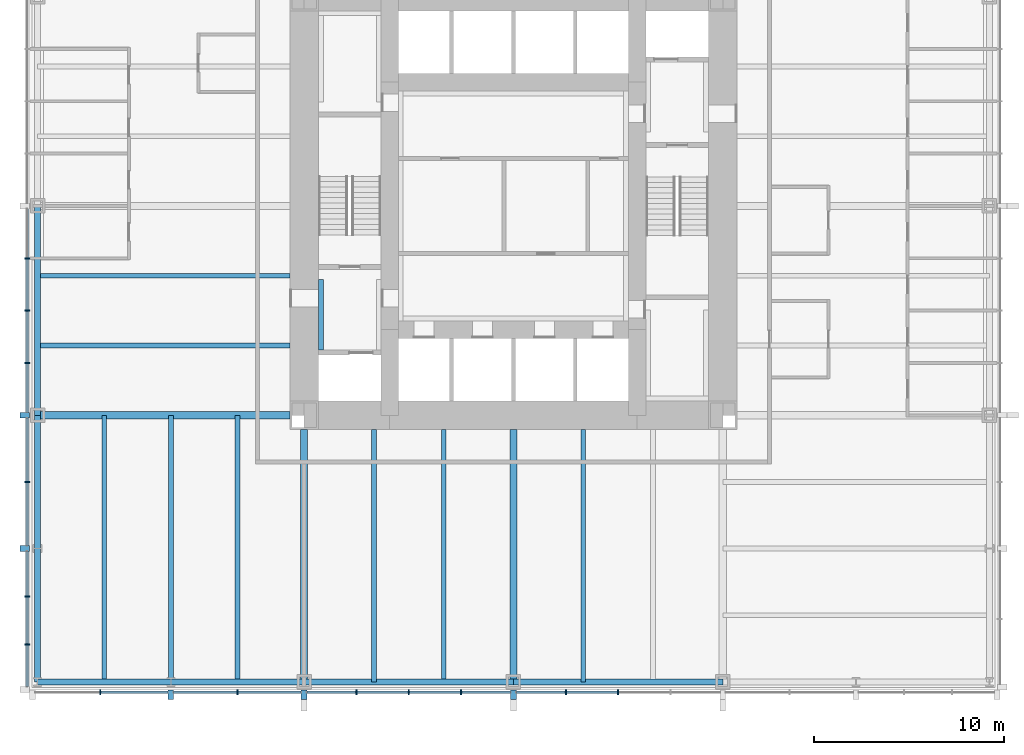
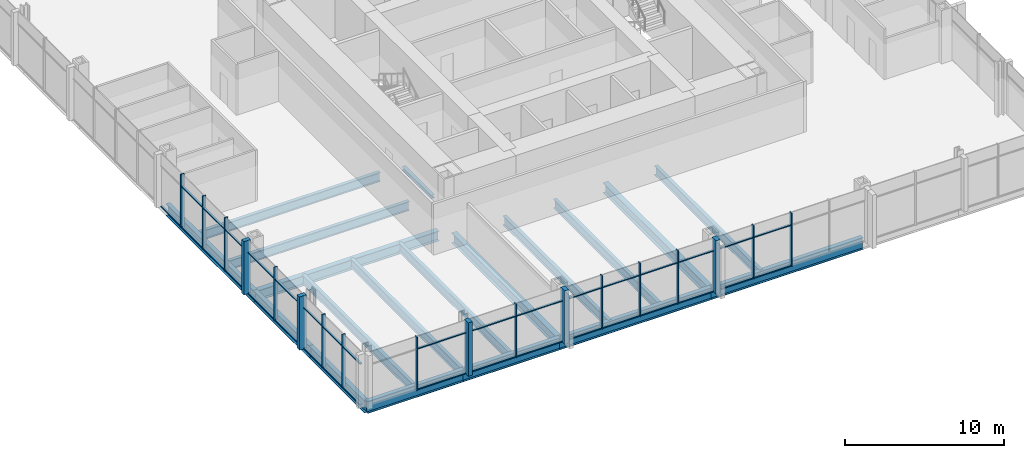
# One storey, part 2 of 12: 53 members, 19 beams, 2 elements without a shape of their own.
"""IFC4 building model written with IfcOpenShell, lengths in metres."""

from ifc_helpers import new_model, si_unit, direction, frame, origin, origin_2d, place, context, subcontext, project, spatial, rectangle, i_section, extrude, material, material_profile, profile_set, type_object, element, aggregate, save


model = new_model("IFC4")

# Units and contexts
model_context = context("Model", 3, precision=1e-05, world=origin(), true_north=direction((0.0, 1.0)))
body_context = subcontext(model_context, "Body", "Model", "MODEL_VIEW")
ifc_project = project(units=[si_unit("LENGTHUNIT", "METRE"), si_unit("AREAUNIT", "SQUARE_METRE"), si_unit("VOLUMEUNIT", "CUBIC_METRE"), si_unit("PLANEANGLEUNIT", "RADIAN"), si_unit("MASSUNIT", "GRAM", prefix="KILO")], contexts=[model_context])

# Site, building, storey
site_placement = place(None, origin())
site = spatial("IfcSite", under=ifc_project, at=site_placement, CompositionType="ELEMENT")
building_placement = place(site_placement, origin())
building = spatial("IfcBuilding", under=site, at=building_placement, Name="Trevanion Tower", CompositionType="ELEMENT")
storey_placement = place(building_placement, frame((0.0, 0.0, 52.89990234375)))
storey = spatial("IfcBuildingStorey", under=building, at=storey_placement, Name="L12", CompositionType="ELEMENT", Elevation=52.89990234375)

# Beams
ifc_material_1 = material(Name="Steel ASTM A992 Grade 50", Category="steel")
ifc_material_profile_1 = material_profile(ifc_material_1, i_section(OverallWidth=0.25390625, OverallDepth=0.700927734375, WebThickness=0.015380859375, FlangeThickness=0.02783203125, at=origin_2d()), Name="W27X129")
ifc_profile_set_1 = profile_set([ifc_material_profile_1], Name="Steel ASTM A992 Grade 50")
beam_type_1 = type_object("IfcBeamType", Name="B3 W27X129", PredefinedType="BEAM", material=ifc_profile_set_1)
for number, where, z_axis, x_axis, name in (
    (1, (-11.75, -3.666748046875, -0.540283203125), (-1.0, 0.0, 0.0), (0.0, -1.0, 0.0), "B3 L12"),
    (2, (-11.75, -7.333251953125, -0.540283203125), (-1.0, 0.0, 0.0), (0.0, -1.0, 0.0), "B3 L12"),
    (3, (-7.333251953125, -11.75, -0.540283203125), (0.0, -1.0, 0.0), (1.0, 0.0, 0.0), "B3 L12"),
    (4, (-3.666748046875, -11.75, -0.540283203125), (0.0, -1.0, 0.0), (1.0, 0.0, 0.0), "B3 L12"),
    (5, (3.666748046875, -11.75, -0.540283203125), (0.0, -1.0, 0.0), (1.0, 0.0, 0.0), "B3 L12"),
):
    element("IfcBeam", number, at=place(storey_placement, frame(where, z_axis=z_axis, x_axis=x_axis)), inside=storey, type_object=beam_type_1, Name=name, PredefinedType="BEAM", context=body_context, shape_type="SweptSolid", body=[
        extrude(i_section(OverallWidth=0.25390625, OverallDepth=0.700927734375, WebThickness=0.015380859375, FlangeThickness=0.02783203125, at=origin_2d()), origin(), (0.0, 0.0, 1.0), 13.25),
    ])
ifc_material_2 = material(Name="Steel ASTM A992 Grade 50", Category="steel")
ifc_material_profile_2 = material_profile(ifc_material_2, i_section(OverallWidth=0.256591796875, OverallDepth=0.693359375, WebThickness=0.014404296875, FlangeThickness=0.023681640625, at=origin_2d()), Name="W27X114")
ifc_profile_set_2 = profile_set([ifc_material_profile_2], Name="Steel ASTM A992 Grade 50")
beam_type_2 = type_object("IfcBeamType", Name="B4 W27X114", PredefinedType="BEAM", material=ifc_profile_set_2)
for number, where, z_axis, x_axis, name in (
    (6, (-14.5, -11.0, -0.53662109375), (0.0, -1.0, 0.0), (1.0, 0.0, 0.0), "B4 L12"),
    (7, (-18.0, -11.0, -0.53662109375), (0.0, -1.0, 0.0), (1.0, 0.0, 0.0), "B4 L12"),
    (8, (-21.5, -11.0, -0.53662109375), (0.0, -1.0, 0.0), (1.0, 0.0, 0.0), "B4 L12"),
):
    element("IfcBeam", number, at=place(storey_placement, frame(where, z_axis=z_axis, x_axis=x_axis)), inside=storey, type_object=beam_type_2, Name=name, PredefinedType="BEAM", context=body_context, shape_type="SweptSolid", body=[
        extrude(i_section(OverallWidth=0.256591796875, OverallDepth=0.693359375, WebThickness=0.014404296875, FlangeThickness=0.023681640625, at=origin_2d()), origin(), (0.0, 0.0, 1.0), 14.0),
    ])

# Curtain wall, members
ifc_material_3 = material(Name="Aluminium and glass", Category="aluminium")
curtain_wall_type = type_object("IfcCurtainWallType", Name="CW1 curtain wall", PredefinedType="USERDEFINED", material=ifc_material_3)
curtain_wall_1_placement = place(storey_placement, origin())
curtain_wall_1 = element("IfcCurtainWall", 9, at=curtain_wall_1_placement, inside=storey, type_object=curtain_wall_type, Name="CW1 L12 2", ObjectType="UNITISED CURTAIN WALL", PredefinedType="USERDEFINED")
ifc_material_4 = material(Name="Aluminium extrusion, anodised bronze", Category="aluminium")
ifc_material_profile_3 = material_profile(ifc_material_4, rectangle(XDim=0.074951171875, YDim=0.25, at=origin_2d()), Name="CW1 mullion")
ifc_profile_set_3 = profile_set([ifc_material_profile_3], Name="Aluminium extrusion, anodised bronze")
member_type_1 = type_object("IfcMemberType", Name="CW1 mullion", PredefinedType="MULLION", material=ifc_profile_set_3)
member_1_placement = place(storey_placement, frame((-25.550048828125, -2.75, -0.18994140625), z_axis=(0.0, 0.0, 1.0), x_axis=(0.0, -1.0, 0.0)))
member_1 = element("IfcMember", 10, at=member_1_placement, type_object=member_type_1, Name="CW1 mullion 10", PredefinedType="MULLION", context=body_context, shape_type="SweptSolid", body=[
    extrude(rectangle(XDim=0.074951171875, YDim=0.25, at=origin_2d()), origin(), (0.0, 0.0, 1.0), 4.10009765625),
])
member_2_placement = place(storey_placement, frame((-25.550048828125, -5.5, -0.18994140625), z_axis=(0.0, 0.0, 1.0), x_axis=(0.0, -1.0, 0.0)))
member_2 = element("IfcMember", 11, at=member_2_placement, type_object=member_type_1, Name="CW1 mullion 11", PredefinedType="MULLION", context=body_context, shape_type="SweptSolid", body=[
    extrude(rectangle(XDim=0.074951171875, YDim=0.25, at=origin_2d()), origin(), (0.0, 0.0, 1.0), 4.10009765625),
])
member_3_placement = place(storey_placement, frame((-25.550048828125, -8.25, -0.18994140625), z_axis=(0.0, 0.0, 1.0), x_axis=(0.0, -1.0, 0.0)))
member_3 = element("IfcMember", 12, at=member_3_placement, type_object=member_type_1, Name="CW1 mullion 12", PredefinedType="MULLION", context=body_context, shape_type="SweptSolid", body=[
    extrude(rectangle(XDim=0.074951171875, YDim=0.25, at=origin_2d()), origin(), (0.0, 0.0, 1.0), 4.10009765625),
])
member_4_placement = place(storey_placement, frame((-25.550048828125, -14.5, -0.18994140625), z_axis=(0.0, 0.0, 1.0), x_axis=(0.0, -1.0, 0.0)))
member_4 = element("IfcMember", 13, at=member_4_placement, type_object=member_type_1, Name="CW1 mullion 14", PredefinedType="MULLION", context=body_context, shape_type="SweptSolid", body=[
    extrude(rectangle(XDim=0.074951171875, YDim=0.25, at=origin_2d()), origin(), (0.0, 0.0, 1.0), 4.10009765625),
])
member_5_placement = place(storey_placement, frame((-25.550048828125, -20.5166015625, -0.18994140625), z_axis=(0.0, 0.0, 1.0), x_axis=(0.0, -1.0, 0.0)))
member_5 = element("IfcMember", 14, at=member_5_placement, type_object=member_type_1, Name="CW1 mullion 16", PredefinedType="MULLION", context=body_context, shape_type="SweptSolid", body=[
    extrude(rectangle(XDim=0.074951171875, YDim=0.25, at=origin_2d()), origin(), (0.0, 0.0, 1.0), 4.10009765625),
])
member_6_placement = place(storey_placement, frame((-25.550048828125, -23.033203125, -0.18994140625), z_axis=(0.0, 0.0, 1.0), x_axis=(0.0, -1.0, 0.0)))
member_6 = element("IfcMember", 15, at=member_6_placement, type_object=member_type_1, Name="CW1 mullion 17", PredefinedType="MULLION", context=body_context, shape_type="SweptSolid", body=[
    extrude(rectangle(XDim=0.074951171875, YDim=0.25, at=origin_2d()), origin(), (0.0, 0.0, 1.0), 4.10009765625),
])

curtain_wall_2_placement = place(storey_placement, origin())
curtain_wall_2 = element("IfcCurtainWall", 16, at=curtain_wall_2_placement, inside=storey, type_object=curtain_wall_type, Name="CW1 L12 3", ObjectType="UNITISED CURTAIN WALL", PredefinedType="USERDEFINED")
member_7_placement = place(storey_placement, frame((-21.7099609375, -25.550048828125, -0.18994140625), z_axis=(0.0, 0.0, 1.0), x_axis=(1.0, 0.0, 0.0)))
member_7 = element("IfcMember", 17, at=member_7_placement, type_object=member_type_1, Name="CW1 mullion 2", PredefinedType="MULLION", context=body_context, shape_type="SweptSolid", body=[
    extrude(rectangle(XDim=0.074951171875, YDim=0.25, at=origin_2d()), origin(), (0.0, 0.0, 1.0), 4.10009765625),
])
member_8_placement = place(storey_placement, frame((-14.5, -25.550048828125, -0.18994140625), z_axis=(0.0, 0.0, 1.0), x_axis=(1.0, 0.0, 0.0)))
member_8 = element("IfcMember", 18, at=member_8_placement, type_object=member_type_1, Name="CW1 mullion 4", PredefinedType="MULLION", context=body_context, shape_type="SweptSolid", body=[
    extrude(rectangle(XDim=0.074951171875, YDim=0.25, at=origin_2d()), origin(), (0.0, 0.0, 1.0), 4.10009765625),
])
member_9_placement = place(storey_placement, frame((-8.25, -25.550048828125, -0.18994140625), z_axis=(0.0, 0.0, 1.0), x_axis=(1.0, 0.0, 0.0)))
member_9 = element("IfcMember", 19, at=member_9_placement, type_object=member_type_1, Name="CW1 mullion 6", PredefinedType="MULLION", context=body_context, shape_type="SweptSolid", body=[
    extrude(rectangle(XDim=0.074951171875, YDim=0.25, at=origin_2d()), origin(), (0.0, 0.0, 1.0), 4.10009765625),
])
member_10_placement = place(storey_placement, frame((-5.5, -25.550048828125, -0.18994140625), z_axis=(0.0, 0.0, 1.0), x_axis=(1.0, 0.0, 0.0)))
member_10 = element("IfcMember", 20, at=member_10_placement, type_object=member_type_1, Name="CW1 mullion 7", PredefinedType="MULLION", context=body_context, shape_type="SweptSolid", body=[
    extrude(rectangle(XDim=0.074951171875, YDim=0.25, at=origin_2d()), origin(), (0.0, 0.0, 1.0), 4.10009765625),
])
member_11_placement = place(storey_placement, frame((-2.75, -25.550048828125, -0.18994140625), z_axis=(0.0, 0.0, 1.0), x_axis=(1.0, 0.0, 0.0)))
member_11 = element("IfcMember", 21, at=member_11_placement, type_object=member_type_1, Name="CW1 mullion 8", PredefinedType="MULLION", context=body_context, shape_type="SweptSolid", body=[
    extrude(rectangle(XDim=0.074951171875, YDim=0.25, at=origin_2d()), origin(), (0.0, 0.0, 1.0), 4.10009765625),
])
member_12_placement = place(storey_placement, frame((2.75, -25.550048828125, -0.18994140625), z_axis=(0.0, 0.0, 1.0), x_axis=(1.0, 0.0, 0.0)))
member_12 = element("IfcMember", 22, at=member_12_placement, type_object=member_type_1, Name="CW1 mullion 10", PredefinedType="MULLION", context=body_context, shape_type="SweptSolid", body=[
    extrude(rectangle(XDim=0.074951171875, YDim=0.25, at=origin_2d()), origin(), (0.0, 0.0, 1.0), 4.10009765625),
])
member_13_placement = place(storey_placement, frame((5.5, -25.550048828125, -0.18994140625), z_axis=(0.0, 0.0, 1.0), x_axis=(1.0, 0.0, 0.0)))
member_13 = element("IfcMember", 23, at=member_13_placement, type_object=member_type_1, Name="CW1 mullion 11", PredefinedType="MULLION", context=body_context, shape_type="SweptSolid", body=[
    extrude(rectangle(XDim=0.074951171875, YDim=0.25, at=origin_2d()), origin(), (0.0, 0.0, 1.0), 4.10009765625),
])

# Member
ifc_material_5 = material(Name="Aluminium extrusion, anodised bronze", Category="aluminium")
ifc_material_profile_4 = material_profile(ifc_material_5, rectangle(XDim=0.300048828125, YDim=0.5, at=origin_2d()), Name="CW1 pier mullion")
ifc_profile_set_4 = profile_set([ifc_material_profile_4], Name="Aluminium extrusion, anodised bronze")
member_type_2 = type_object("IfcMemberType", Name="CW1 pier mullion", PredefinedType="MULLION", material=ifc_profile_set_4)
member_14_placement = place(storey_placement, frame((-25.675048828125, -11.0, -0.18994140625), z_axis=(0.0, 0.0, 1.0), x_axis=(0.0, -1.0, 0.0)))
member_14 = element("IfcMember", 24, at=member_14_placement, type_object=member_type_2, Name="CW1 pier mullion 13", PredefinedType="MULLION", context=body_context, shape_type="SweptSolid", body=[
    extrude(rectangle(XDim=0.300048828125, YDim=0.5, at=origin_2d()), origin(), (0.0, 0.0, 1.0), 4.10009765625),
])

member_15_placement = place(storey_placement, frame((-25.675048828125, -18.0, -0.18994140625), z_axis=(0.0, 0.0, 1.0), x_axis=(0.0, -1.0, 0.0)))
member_15 = element("IfcMember", 25, at=member_15_placement, type_object=member_type_2, Name="CW1 pier mullion 15", PredefinedType="MULLION", context=body_context, shape_type="SweptSolid", body=[
    extrude(rectangle(XDim=0.300048828125, YDim=0.5, at=origin_2d()), origin(), (0.0, 0.0, 1.0), 4.10009765625),
])

member_16_placement = place(storey_placement, frame((-18.0, -25.675048828125, -0.18994140625), z_axis=(0.0, 0.0, 1.0), x_axis=(1.0, 0.0, 0.0)))
member_16 = element("IfcMember", 26, at=member_16_placement, type_object=member_type_2, Name="CW1 pier mullion 3", PredefinedType="MULLION", context=body_context, shape_type="SweptSolid", body=[
    extrude(rectangle(XDim=0.300048828125, YDim=0.5, at=origin_2d()), origin(), (0.0, 0.0, 1.0), 4.10009765625),
])

member_17_placement = place(storey_placement, frame((-11.0, -25.675048828125, -0.18994140625), z_axis=(0.0, 0.0, 1.0), x_axis=(1.0, 0.0, 0.0)))
member_17 = element("IfcMember", 27, at=member_17_placement, type_object=member_type_2, Name="CW1 pier mullion 5", PredefinedType="MULLION", context=body_context, shape_type="SweptSolid", body=[
    extrude(rectangle(XDim=0.300048828125, YDim=0.5, at=origin_2d()), origin(), (0.0, 0.0, 1.0), 4.10009765625),
])

member_18_placement = place(storey_placement, frame((0.0, -25.675048828125, -0.18994140625), z_axis=(0.0, 0.0, 1.0), x_axis=(1.0, 0.0, 0.0)))
member_18 = element("IfcMember", 28, at=member_18_placement, type_object=member_type_2, Name="CW1 pier mullion 9", PredefinedType="MULLION", context=body_context, shape_type="SweptSolid", body=[
    extrude(rectangle(XDim=0.300048828125, YDim=0.5, at=origin_2d()), origin(), (0.0, 0.0, 1.0), 4.10009765625),
])

ifc_material_6 = material(Name="Aluminium extrusion, anodised bronze", Category="aluminium")
ifc_material_profile_5 = material_profile(ifc_material_6, rectangle(XDim=0.14990234375, YDim=0.074951171875, at=origin_2d()), Name="CW1 transom")
ifc_profile_set_5 = profile_set([ifc_material_profile_5], Name="Aluminium extrusion, anodised bronze")
member_type_3 = type_object("IfcMemberType", Name="CW1 transom", PredefinedType="USERDEFINED", material=ifc_profile_set_5)
member_19_placement = place(storey_placement, frame((-25.550048828125, -0.14990234375, -0.15234375), z_axis=(0.0, -1.0, 0.0), x_axis=(1.0, 0.0, 0.0)))
member_19 = element("IfcMember", 29, at=member_19_placement, type_object=member_type_3, Name="CW1 transom 9.1", ObjectType="TRANSOM", PredefinedType="USERDEFINED", context=body_context, shape_type="SweptSolid", body=[
    extrude(rectangle(XDim=0.14990234375, YDim=0.074951171875, at=origin_2d()), origin(), (0.0, 0.0, 1.0), 2.5625),
])

member_20_placement = place(storey_placement, frame((-25.550048828125, -2.78759765625, -0.15234375), z_axis=(0.0, -1.0, 0.0), x_axis=(1.0, 0.0, 0.0)))
member_20 = element("IfcMember", 30, at=member_20_placement, type_object=member_type_3, Name="CW1 transom 10.1", ObjectType="TRANSOM", PredefinedType="USERDEFINED", context=body_context, shape_type="SweptSolid", body=[
    extrude(rectangle(XDim=0.14990234375, YDim=0.074951171875, at=origin_2d()), origin(), (0.0, 0.0, 1.0), 2.6748046875),
])

member_21_placement = place(storey_placement, frame((-25.550048828125, -2.78759765625, 2.960205078125), z_axis=(0.0, -1.0, 0.0), x_axis=(1.0, 0.0, 0.0)))
member_21 = element("IfcMember", 31, at=member_21_placement, type_object=member_type_3, Name="CW1 transom 10.2", ObjectType="TRANSOM", PredefinedType="USERDEFINED", context=body_context, shape_type="SweptSolid", body=[
    extrude(rectangle(XDim=0.14990234375, YDim=0.074951171875, at=origin_2d()), origin(), (0.0, 0.0, 1.0), 2.6748046875),
])

member_22_placement = place(storey_placement, frame((-25.550048828125, -5.53759765625, -0.15234375), z_axis=(0.0, -1.0, 0.0), x_axis=(1.0, 0.0, 0.0)))
member_22 = element("IfcMember", 32, at=member_22_placement, type_object=member_type_3, Name="CW1 transom 11.1", ObjectType="TRANSOM", PredefinedType="USERDEFINED", context=body_context, shape_type="SweptSolid", body=[
    extrude(rectangle(XDim=0.14990234375, YDim=0.074951171875, at=origin_2d()), origin(), (0.0, 0.0, 1.0), 2.6748046875),
])

member_23_placement = place(storey_placement, frame((-25.550048828125, -5.53759765625, 2.960205078125), z_axis=(0.0, -1.0, 0.0), x_axis=(1.0, 0.0, 0.0)))
member_23 = element("IfcMember", 33, at=member_23_placement, type_object=member_type_3, Name="CW1 transom 11.2", ObjectType="TRANSOM", PredefinedType="USERDEFINED", context=body_context, shape_type="SweptSolid", body=[
    extrude(rectangle(XDim=0.14990234375, YDim=0.074951171875, at=origin_2d()), origin(), (0.0, 0.0, 1.0), 2.6748046875),
])

member_24_placement = place(storey_placement, frame((-25.550048828125, -8.28759765625, -0.15234375), z_axis=(0.0, -1.0, 0.0), x_axis=(1.0, 0.0, 0.0)))
member_24 = element("IfcMember", 34, at=member_24_placement, type_object=member_type_3, Name="CW1 transom 12.1", ObjectType="TRANSOM", PredefinedType="USERDEFINED", context=body_context, shape_type="SweptSolid", body=[
    extrude(rectangle(XDim=0.14990234375, YDim=0.074951171875, at=origin_2d()), origin(), (0.0, 0.0, 1.0), 2.5625),
])

member_25_placement = place(storey_placement, frame((-25.550048828125, -8.28759765625, 2.960205078125), z_axis=(0.0, -1.0, 0.0), x_axis=(1.0, 0.0, 0.0)))
member_25 = element("IfcMember", 35, at=member_25_placement, type_object=member_type_3, Name="CW1 transom 12.2", ObjectType="TRANSOM", PredefinedType="USERDEFINED", context=body_context, shape_type="SweptSolid", body=[
    extrude(rectangle(XDim=0.14990234375, YDim=0.074951171875, at=origin_2d()), origin(), (0.0, 0.0, 1.0), 2.5625),
])

member_26_placement = place(storey_placement, frame((-25.550048828125, -11.14990234375, -0.15234375), z_axis=(0.0, -1.0, 0.0), x_axis=(1.0, 0.0, 0.0)))
member_26 = element("IfcMember", 36, at=member_26_placement, type_object=member_type_3, Name="CW1 transom 13.1", ObjectType="TRANSOM", PredefinedType="USERDEFINED", context=body_context, shape_type="SweptSolid", body=[
    extrude(rectangle(XDim=0.14990234375, YDim=0.074951171875, at=origin_2d()), origin(), (0.0, 0.0, 1.0), 3.3125),
])

member_27_placement = place(storey_placement, frame((-25.550048828125, -11.14990234375, 2.960205078125), z_axis=(0.0, -1.0, 0.0), x_axis=(1.0, 0.0, 0.0)))
member_27 = element("IfcMember", 37, at=member_27_placement, type_object=member_type_3, Name="CW1 transom 13.2", ObjectType="TRANSOM", PredefinedType="USERDEFINED", context=body_context, shape_type="SweptSolid", body=[
    extrude(rectangle(XDim=0.14990234375, YDim=0.074951171875, at=origin_2d()), origin(), (0.0, 0.0, 1.0), 3.3125),
])

member_28_placement = place(storey_placement, frame((-25.550048828125, -14.53759765625, -0.15234375), z_axis=(0.0, -1.0, 0.0), x_axis=(1.0, 0.0, 0.0)))
member_28 = element("IfcMember", 38, at=member_28_placement, type_object=member_type_3, Name="CW1 transom 14.1", ObjectType="TRANSOM", PredefinedType="USERDEFINED", context=body_context, shape_type="SweptSolid", body=[
    extrude(rectangle(XDim=0.14990234375, YDim=0.074951171875, at=origin_2d()), origin(), (0.0, 0.0, 1.0), 3.3125),
])

member_29_placement = place(storey_placement, frame((-25.550048828125, -14.53759765625, 2.960205078125), z_axis=(0.0, -1.0, 0.0), x_axis=(1.0, 0.0, 0.0)))
member_29 = element("IfcMember", 39, at=member_29_placement, type_object=member_type_3, Name="CW1 transom 14.2", ObjectType="TRANSOM", PredefinedType="USERDEFINED", context=body_context, shape_type="SweptSolid", body=[
    extrude(rectangle(XDim=0.14990234375, YDim=0.074951171875, at=origin_2d()), origin(), (0.0, 0.0, 1.0), 3.3125),
])

member_30_placement = place(storey_placement, frame((-25.550048828125, -18.14990234375, -0.15234375), z_axis=(0.0, -1.0, 0.0), x_axis=(1.0, 0.0, 0.0)))
member_30 = element("IfcMember", 40, at=member_30_placement, type_object=member_type_3, Name="CW1 transom 15.1", ObjectType="TRANSOM", PredefinedType="USERDEFINED", context=body_context, shape_type="SweptSolid", body=[
    extrude(rectangle(XDim=0.14990234375, YDim=0.074951171875, at=origin_2d()), origin(), (0.0, 0.0, 1.0), 2.329345703125),
])

member_31_placement = place(storey_placement, frame((-25.550048828125, -18.14990234375, 2.960205078125), z_axis=(0.0, -1.0, 0.0), x_axis=(1.0, 0.0, 0.0)))
member_31 = element("IfcMember", 41, at=member_31_placement, type_object=member_type_3, Name="CW1 transom 15.2", ObjectType="TRANSOM", PredefinedType="USERDEFINED", context=body_context, shape_type="SweptSolid", body=[
    extrude(rectangle(XDim=0.14990234375, YDim=0.074951171875, at=origin_2d()), origin(), (0.0, 0.0, 1.0), 2.329345703125),
])

member_32_placement = place(storey_placement, frame((-25.550048828125, -20.55419921875, -0.15234375), z_axis=(0.0, -1.0, 0.0), x_axis=(1.0, 0.0, 0.0)))
member_32 = element("IfcMember", 42, at=member_32_placement, type_object=member_type_3, Name="CW1 transom 16.1", ObjectType="TRANSOM", PredefinedType="USERDEFINED", context=body_context, shape_type="SweptSolid", body=[
    extrude(rectangle(XDim=0.14990234375, YDim=0.074951171875, at=origin_2d()), origin(), (0.0, 0.0, 1.0), 2.441650390625),
])

member_33_placement = place(storey_placement, frame((-25.550048828125, -20.55419921875, 2.960205078125), z_axis=(0.0, -1.0, 0.0), x_axis=(1.0, 0.0, 0.0)))
member_33 = element("IfcMember", 43, at=member_33_placement, type_object=member_type_3, Name="CW1 transom 16.2", ObjectType="TRANSOM", PredefinedType="USERDEFINED", context=body_context, shape_type="SweptSolid", body=[
    extrude(rectangle(XDim=0.14990234375, YDim=0.074951171875, at=origin_2d()), origin(), (0.0, 0.0, 1.0), 2.441650390625),
])

member_34_placement = place(storey_placement, frame((-25.550048828125, -23.07080078125, -0.15234375), z_axis=(0.0, -1.0, 0.0), x_axis=(1.0, 0.0, 0.0)))
member_34 = element("IfcMember", 44, at=member_34_placement, type_object=member_type_3, Name="CW1 transom 17.1", ObjectType="TRANSOM", PredefinedType="USERDEFINED", context=body_context, shape_type="SweptSolid", body=[
    extrude(rectangle(XDim=0.14990234375, YDim=0.074951171875, at=origin_2d()), origin(), (0.0, 0.0, 1.0), 2.17919921875),
])

member_35_placement = place(storey_placement, frame((-25.550048828125, -23.07080078125, 2.960205078125), z_axis=(0.0, -1.0, 0.0), x_axis=(1.0, 0.0, 0.0)))
member_35 = element("IfcMember", 45, at=member_35_placement, type_object=member_type_3, Name="CW1 transom 17.2", ObjectType="TRANSOM", PredefinedType="USERDEFINED", context=body_context, shape_type="SweptSolid", body=[
    extrude(rectangle(XDim=0.14990234375, YDim=0.074951171875, at=origin_2d()), origin(), (0.0, 0.0, 1.0), 2.17919921875),
])

aggregate(curtain_wall_1, [member_1, member_2, member_3, member_14, member_4, member_15, member_5, member_6, member_19, member_20, member_21, member_22, member_23, member_24, member_25, member_26, member_27, member_28, member_29, member_30, member_31, member_32, member_33, member_34, member_35])

member_36_placement = place(storey_placement, frame((-21.672607421875, -25.550048828125, -0.15234375), z_axis=(1.0, 0.0, 0.0), x_axis=(0.0, 1.0, 0.0)))
member_36 = element("IfcMember", 46, at=member_36_placement, type_object=member_type_3, Name="CW1 transom 2.1", ObjectType="TRANSOM", PredefinedType="USERDEFINED", context=body_context, shape_type="SweptSolid", body=[
    extrude(rectangle(XDim=0.14990234375, YDim=0.074951171875, at=origin_2d()), origin(), (0.0, 0.0, 1.0), 3.522705078125),
])

member_37_placement = place(storey_placement, frame((-21.672607421875, -25.550048828125, 2.960205078125), z_axis=(1.0, 0.0, 0.0), x_axis=(0.0, 1.0, 0.0)))
member_37 = element("IfcMember", 47, at=member_37_placement, type_object=member_type_3, Name="CW1 transom 2.2", ObjectType="TRANSOM", PredefinedType="USERDEFINED", context=body_context, shape_type="SweptSolid", body=[
    extrude(rectangle(XDim=0.14990234375, YDim=0.074951171875, at=origin_2d()), origin(), (0.0, 0.0, 1.0), 3.522705078125),
])

member_38_placement = place(storey_placement, frame((-17.85009765625, -25.550048828125, -0.15234375), z_axis=(1.0, 0.0, 0.0), x_axis=(0.0, 1.0, 0.0)))
member_38 = element("IfcMember", 48, at=member_38_placement, type_object=member_type_3, Name="CW1 transom 3.1", ObjectType="TRANSOM", PredefinedType="USERDEFINED", context=body_context, shape_type="SweptSolid", body=[
    extrude(rectangle(XDim=0.14990234375, YDim=0.074951171875, at=origin_2d()), origin(), (0.0, 0.0, 1.0), 3.3125),
])

member_39_placement = place(storey_placement, frame((-17.85009765625, -25.550048828125, 2.960205078125), z_axis=(1.0, 0.0, 0.0), x_axis=(0.0, 1.0, 0.0)))
member_39 = element("IfcMember", 49, at=member_39_placement, type_object=member_type_3, Name="CW1 transom 3.2", ObjectType="TRANSOM", PredefinedType="USERDEFINED", context=body_context, shape_type="SweptSolid", body=[
    extrude(rectangle(XDim=0.14990234375, YDim=0.074951171875, at=origin_2d()), origin(), (0.0, 0.0, 1.0), 3.3125),
])

member_40_placement = place(storey_placement, frame((-14.46240234375, -25.550048828125, -0.15234375), z_axis=(1.0, 0.0, 0.0), x_axis=(0.0, 1.0, 0.0)))
member_40 = element("IfcMember", 50, at=member_40_placement, type_object=member_type_3, Name="CW1 transom 4.1", ObjectType="TRANSOM", PredefinedType="USERDEFINED", context=body_context, shape_type="SweptSolid", body=[
    extrude(rectangle(XDim=0.14990234375, YDim=0.074951171875, at=origin_2d()), origin(), (0.0, 0.0, 1.0), 3.3125),
])

member_41_placement = place(storey_placement, frame((-14.46240234375, -25.550048828125, 2.960205078125), z_axis=(1.0, 0.0, 0.0), x_axis=(0.0, 1.0, 0.0)))
member_41 = element("IfcMember", 51, at=member_41_placement, type_object=member_type_3, Name="CW1 transom 4.2", ObjectType="TRANSOM", PredefinedType="USERDEFINED", context=body_context, shape_type="SweptSolid", body=[
    extrude(rectangle(XDim=0.14990234375, YDim=0.074951171875, at=origin_2d()), origin(), (0.0, 0.0, 1.0), 3.3125),
])

member_42_placement = place(storey_placement, frame((-10.85009765625, -25.550048828125, -0.15234375), z_axis=(1.0, 0.0, 0.0), x_axis=(0.0, 1.0, 0.0)))
member_42 = element("IfcMember", 52, at=member_42_placement, type_object=member_type_3, Name="CW1 transom 5.1", ObjectType="TRANSOM", PredefinedType="USERDEFINED", context=body_context, shape_type="SweptSolid", body=[
    extrude(rectangle(XDim=0.14990234375, YDim=0.074951171875, at=origin_2d()), origin(), (0.0, 0.0, 1.0), 2.5625),
])

member_43_placement = place(storey_placement, frame((-10.85009765625, -25.550048828125, 2.960205078125), z_axis=(1.0, 0.0, 0.0), x_axis=(0.0, 1.0, 0.0)))
member_43 = element("IfcMember", 53, at=member_43_placement, type_object=member_type_3, Name="CW1 transom 5.2", ObjectType="TRANSOM", PredefinedType="USERDEFINED", context=body_context, shape_type="SweptSolid", body=[
    extrude(rectangle(XDim=0.14990234375, YDim=0.074951171875, at=origin_2d()), origin(), (0.0, 0.0, 1.0), 2.5625),
])

member_44_placement = place(storey_placement, frame((-8.21240234375, -25.550048828125, -0.15234375), z_axis=(1.0, 0.0, 0.0), x_axis=(0.0, 1.0, 0.0)))
member_44 = element("IfcMember", 54, at=member_44_placement, type_object=member_type_3, Name="CW1 transom 6.1", ObjectType="TRANSOM", PredefinedType="USERDEFINED", context=body_context, shape_type="SweptSolid", body=[
    extrude(rectangle(XDim=0.14990234375, YDim=0.074951171875, at=origin_2d()), origin(), (0.0, 0.0, 1.0), 2.6748046875),
])

member_45_placement = place(storey_placement, frame((-8.21240234375, -25.550048828125, 2.960205078125), z_axis=(1.0, 0.0, 0.0), x_axis=(0.0, 1.0, 0.0)))
member_45 = element("IfcMember", 55, at=member_45_placement, type_object=member_type_3, Name="CW1 transom 6.2", ObjectType="TRANSOM", PredefinedType="USERDEFINED", context=body_context, shape_type="SweptSolid", body=[
    extrude(rectangle(XDim=0.14990234375, YDim=0.074951171875, at=origin_2d()), origin(), (0.0, 0.0, 1.0), 2.6748046875),
])

member_46_placement = place(storey_placement, frame((-5.46240234375, -25.550048828125, -0.15234375), z_axis=(1.0, 0.0, 0.0), x_axis=(0.0, 1.0, 0.0)))
member_46 = element("IfcMember", 56, at=member_46_placement, type_object=member_type_3, Name="CW1 transom 7.1", ObjectType="TRANSOM", PredefinedType="USERDEFINED", context=body_context, shape_type="SweptSolid", body=[
    extrude(rectangle(XDim=0.14990234375, YDim=0.074951171875, at=origin_2d()), origin(), (0.0, 0.0, 1.0), 2.6748046875),
])

member_47_placement = place(storey_placement, frame((-5.46240234375, -25.550048828125, 2.960205078125), z_axis=(1.0, 0.0, 0.0), x_axis=(0.0, 1.0, 0.0)))
member_47 = element("IfcMember", 57, at=member_47_placement, type_object=member_type_3, Name="CW1 transom 7.2", ObjectType="TRANSOM", PredefinedType="USERDEFINED", context=body_context, shape_type="SweptSolid", body=[
    extrude(rectangle(XDim=0.14990234375, YDim=0.074951171875, at=origin_2d()), origin(), (0.0, 0.0, 1.0), 2.6748046875),
])

member_48_placement = place(storey_placement, frame((-2.71240234375, -25.550048828125, -0.15234375), z_axis=(1.0, 0.0, 0.0), x_axis=(0.0, 1.0, 0.0)))
member_48 = element("IfcMember", 58, at=member_48_placement, type_object=member_type_3, Name="CW1 transom 8.1", ObjectType="TRANSOM", PredefinedType="USERDEFINED", context=body_context, shape_type="SweptSolid", body=[
    extrude(rectangle(XDim=0.14990234375, YDim=0.074951171875, at=origin_2d()), origin(), (0.0, 0.0, 1.0), 2.5625),
])

member_49_placement = place(storey_placement, frame((-2.71240234375, -25.550048828125, 2.960205078125), z_axis=(1.0, 0.0, 0.0), x_axis=(0.0, 1.0, 0.0)))
member_49 = element("IfcMember", 59, at=member_49_placement, type_object=member_type_3, Name="CW1 transom 8.2", ObjectType="TRANSOM", PredefinedType="USERDEFINED", context=body_context, shape_type="SweptSolid", body=[
    extrude(rectangle(XDim=0.14990234375, YDim=0.074951171875, at=origin_2d()), origin(), (0.0, 0.0, 1.0), 2.5625),
])

member_50_placement = place(storey_placement, frame((0.14990234375, -25.550048828125, -0.15234375), z_axis=(1.0, 0.0, 0.0), x_axis=(0.0, 1.0, 0.0)))
member_50 = element("IfcMember", 60, at=member_50_placement, type_object=member_type_3, Name="CW1 transom 9.1", ObjectType="TRANSOM", PredefinedType="USERDEFINED", context=body_context, shape_type="SweptSolid", body=[
    extrude(rectangle(XDim=0.14990234375, YDim=0.074951171875, at=origin_2d()), origin(), (0.0, 0.0, 1.0), 2.5625),
])

member_51_placement = place(storey_placement, frame((0.14990234375, -25.550048828125, 2.960205078125), z_axis=(1.0, 0.0, 0.0), x_axis=(0.0, 1.0, 0.0)))
member_51 = element("IfcMember", 61, at=member_51_placement, type_object=member_type_3, Name="CW1 transom 9.2", ObjectType="TRANSOM", PredefinedType="USERDEFINED", context=body_context, shape_type="SweptSolid", body=[
    extrude(rectangle(XDim=0.14990234375, YDim=0.074951171875, at=origin_2d()), origin(), (0.0, 0.0, 1.0), 2.5625),
])

member_52_placement = place(storey_placement, frame((2.78759765625, -25.550048828125, -0.15234375), z_axis=(1.0, 0.0, 0.0), x_axis=(0.0, 1.0, 0.0)))
member_52 = element("IfcMember", 62, at=member_52_placement, type_object=member_type_3, Name="CW1 transom 10.1", ObjectType="TRANSOM", PredefinedType="USERDEFINED", context=body_context, shape_type="SweptSolid", body=[
    extrude(rectangle(XDim=0.14990234375, YDim=0.074951171875, at=origin_2d()), origin(), (0.0, 0.0, 1.0), 2.6748046875),
])

member_53_placement = place(storey_placement, frame((2.78759765625, -25.550048828125, 2.960205078125), z_axis=(1.0, 0.0, 0.0), x_axis=(0.0, 1.0, 0.0)))
member_53 = element("IfcMember", 63, at=member_53_placement, type_object=member_type_3, Name="CW1 transom 10.2", ObjectType="TRANSOM", PredefinedType="USERDEFINED", context=body_context, shape_type="SweptSolid", body=[
    extrude(rectangle(XDim=0.14990234375, YDim=0.074951171875, at=origin_2d()), origin(), (0.0, 0.0, 1.0), 2.6748046875),
])

aggregate(curtain_wall_2, [member_7, member_16, member_8, member_17, member_9, member_10, member_11, member_18, member_12, member_13, member_36, member_37, member_38, member_39, member_40, member_41, member_42, member_43, member_44, member_45, member_46, member_47, member_48, member_49, member_50, member_51, member_52, member_53])

# Beams
ifc_material_7 = material(Name="Steel ASTM A992 Grade 50", Category="steel")
ifc_material_profile_6 = material_profile(ifc_material_7, i_section(OverallWidth=0.381103515625, OverallDepth=0.77978515625, WebThickness=0.01806640625, FlangeThickness=0.0302734375, at=origin_2d()), Name="W30X191")
ifc_profile_set_6 = profile_set([ifc_material_profile_6], Name="Steel ASTM A992 Grade 50")
beam_type_3 = type_object("IfcBeamType", Name="G2 W30X191", PredefinedType="BEAM", material=ifc_profile_set_6)
for number, where, z_axis, x_axis, name in (
    (64, (-11.75, -11.0, -0.579833984375), (-1.0, 0.0, 0.0), (0.0, -1.0, 0.0), "G2 L12"),
    (65, (-11.0, -11.75, -0.579833984375), (0.0, -1.0, 0.0), (1.0, 0.0, 0.0), "G2 L12"),
    (66, (0.0, -11.75, -0.579833984375), (0.0, -1.0, 0.0), (1.0, 0.0, 0.0), "G2 L12"),
):
    element("IfcBeam", number, at=place(storey_placement, frame(where, z_axis=z_axis, x_axis=x_axis)), inside=storey, type_object=beam_type_3, Name=name, PredefinedType="BEAM", context=body_context, shape_type="SweptSolid", body=[
        extrude(i_section(OverallWidth=0.381103515625, OverallDepth=0.77978515625, WebThickness=0.01806640625, FlangeThickness=0.0302734375, at=origin_2d()), origin(), (0.0, 0.0, 1.0), 13.25),
    ])
ifc_material_8 = material(Name="Steel ASTM A992 Grade 50", Category="steel")
ifc_material_profile_7 = material_profile(ifc_material_8, i_section(OverallWidth=0.256591796875, OverallDepth=0.26416015625, WebThickness=0.011962890625, FlangeThickness=0.01953125, at=origin_2d()), Name="W10X68")
ifc_profile_set_7 = profile_set([ifc_material_profile_7], Name="Steel ASTM A992 Grade 50")
beam_type_4 = type_object("IfcBeamType", Name="LB1 W10X68", PredefinedType="BEAM", material=ifc_profile_set_7)
beam_1_placement = place(storey_placement, frame((-10.12158203125, -7.574951171875, -0.33203125), z_axis=(0.0, 1.0, 0.0), x_axis=(-1.0, 0.0, 0.0)))
element("IfcBeam", 67, at=beam_1_placement, inside=storey, type_object=beam_type_4, Name="LB1 L12", PredefinedType="BEAM", context=body_context, shape_type="SweptSolid", body=[
    extrude(i_section(OverallWidth=0.256591796875, OverallDepth=0.26416015625, WebThickness=0.011962890625, FlangeThickness=0.01953125, at=origin_2d()), origin(), (0.0, 0.0, 1.0), 3.699951171875),
])
ifc_material_9 = material(Name="Steel ASTM A992 Grade 50", Category="steel")
ifc_material_profile_8 = material_profile(ifc_material_9, i_section(OverallWidth=0.307373046875, OverallDepth=0.927001953125, WebThickness=0.01953125, FlangeThickness=0.031982421875, at=origin_2d()), Name="W36X194")
ifc_profile_set_8 = profile_set([ifc_material_profile_8], Name="Steel ASTM A992 Grade 50")
beam_type_5 = type_object("IfcBeamType", Name="SB2 W36X194", PredefinedType="SPANDREL", material=ifc_profile_set_8)
beam_2_placement = place(storey_placement, frame((-25.0, 0.0, -0.6533203125), z_axis=(0.0, -1.0, 0.0), x_axis=(1.0, 0.0, 0.0)))
element("IfcBeam", 68, at=beam_2_placement, inside=storey, type_object=beam_type_5, Name="SB2 L12", PredefinedType="SPANDREL", context=body_context, shape_type="SweptSolid", body=[
    extrude(i_section(OverallWidth=0.307373046875, OverallDepth=0.927001953125, WebThickness=0.01953125, FlangeThickness=0.031982421875, at=origin_2d()), origin(), (0.0, 0.0, 1.0), 11.0),
])
for number, where, z_axis, x_axis, name in (
    (69, (-25.0, -11.0, -0.6533203125), (0.0, -1.0, 0.0), (1.0, 0.0, 0.0), "SB2 L12"),
    (70, (-25.0, -18.0, -0.6533203125), (0.0, -1.0, 0.0), (1.0, 0.0, 0.0), "SB2 L12"),
    (71, (-25.0, -25.0, -0.6533203125), (1.0, 0.0, 0.0), (0.0, 1.0, 0.0), "SB2 L12"),
    (72, (-18.0, -25.0, -0.6533203125), (1.0, 0.0, 0.0), (0.0, 1.0, 0.0), "SB2 L12"),
):
    element("IfcBeam", number, at=place(storey_placement, frame(where, z_axis=z_axis, x_axis=x_axis)), inside=storey, type_object=beam_type_5, Name=name, PredefinedType="SPANDREL", context=body_context, shape_type="SweptSolid", body=[
        extrude(i_section(OverallWidth=0.307373046875, OverallDepth=0.927001953125, WebThickness=0.01953125, FlangeThickness=0.031982421875, at=origin_2d()), origin(), (0.0, 0.0, 1.0), 7.0),
    ])
for number, where, z_axis, x_axis, name in (
    (73, (-11.0, -25.0, -0.6533203125), (1.0, 0.0, 0.0), (0.0, 1.0, 0.0), "SB2 L12"),
    (74, (0.0, -25.0, -0.6533203125), (1.0, 0.0, 0.0), (0.0, 1.0, 0.0), "SB2 L12"),
):
    element("IfcBeam", number, at=place(storey_placement, frame(where, z_axis=z_axis, x_axis=x_axis)), inside=storey, type_object=beam_type_5, Name=name, PredefinedType="SPANDREL", context=body_context, shape_type="SweptSolid", body=[
        extrude(i_section(OverallWidth=0.307373046875, OverallDepth=0.927001953125, WebThickness=0.01953125, FlangeThickness=0.031982421875, at=origin_2d()), origin(), (0.0, 0.0, 1.0), 11.0),
    ])

save(model, "model.ifc")
